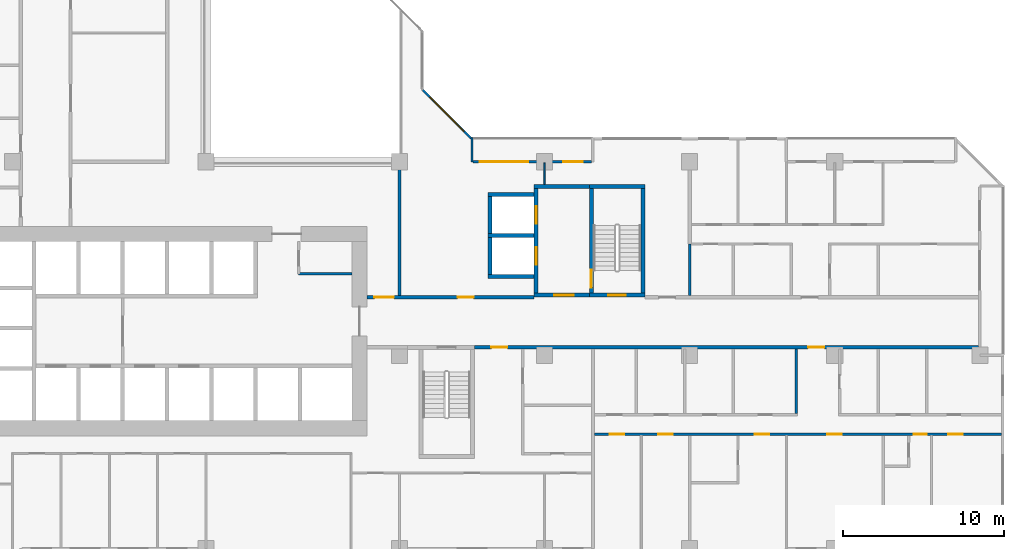
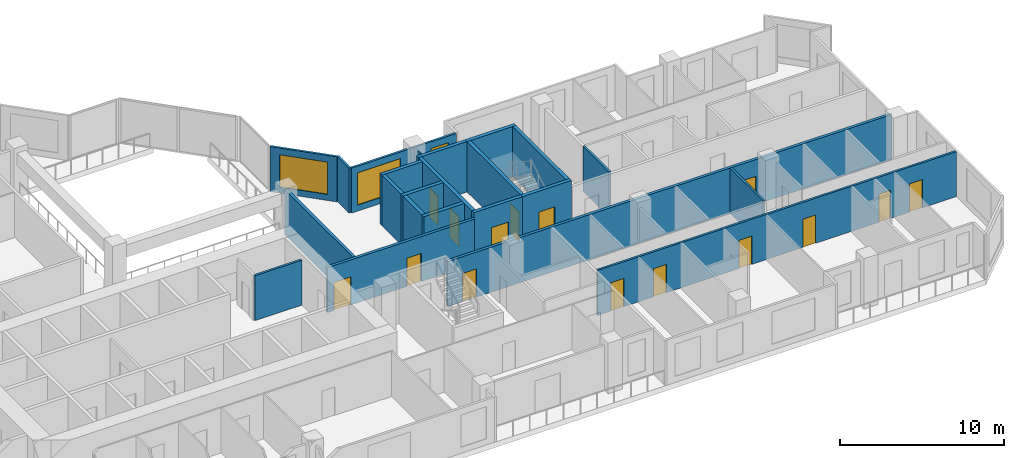
# One storey, part 7 of 15: 23 walls, 15 doors, 3 windows, 18 openings.
"""IFC4 building model written with IfcOpenShell, lengths in metres."""

import ifcopenshell
import ifcopenshell.guid

model = None  # the IFC model being written
_history = None  # IfcOwnerHistory: only IFC2X3 demands one
_inside = {}  # id of a spatial element -> (the spatial element, [elements in it])
_under = {}  # id of a project, library or spatial element -> (it, [spatial elements below it])
_declared = {}  # id of a project -> (the project, [libraries it declares])
_typed = {}  # id of a type object -> (the type object, [elements of that type])
_made_of = {}  # id of a material, layer set ... -> (it, [elements and type objects made of it])


def new_model(schema):
    """Start an empty IFC model of exactly this schema.

    Asked for "IFC4X3", IfcOpenShell would pick the latest addendum, in which some entities
    have other attributes; the version numbers below select the first issue.
    IFC2X3 requires an IfcOwnerHistory on every rooted entity: one is made here for all.
    """
    global model, _history
    if schema == "IFC4X3":
        model = ifcopenshell.file(schema_version=(4, 3, 0, 0))
    else:
        model = ifcopenshell.file(schema=schema)
    _inside.clear()
    _under.clear()
    _declared.clear()
    _typed.clear()
    _made_of.clear()
    _history = None
    if model.schema == "IFC2X3":
        org = make("IfcOrganization", Name="unknown")
        user = make(
            "IfcPersonAndOrganization",
            ThePerson=make("IfcPerson", FamilyName="unknown"),
            TheOrganization=org,
        )
        app = make(
            "IfcApplication",
            ApplicationDeveloper=org,
            Version="unknown",
            ApplicationFullName="unknown",
            ApplicationIdentifier="unknown",
        )
        _history = make(
            "IfcOwnerHistory",
            OwningUser=user,
            OwningApplication=app,
            ChangeAction="ADDED",
            CreationDate=0,
        )
    return model


def make(cls, **values):
    """One entity of the class cls with the attributes given. An attribute that is None is left unset."""
    return model.create_entity(
        cls, **{name: value for name, value in values.items() if value is not None}
    )


def rooted(cls, **values):
    """An entity with a GlobalId (a new one), such as an element, a storey or a relation."""
    return make(cls, GlobalId=ifcopenshell.guid.new(), OwnerHistory=_history, **values)


def si_unit(unit_type, name, prefix=None):
    """IfcSIUnit, for example si_unit("LENGTHUNIT", "METRE", prefix="MILLI")."""
    return make("IfcSIUnit", UnitType=unit_type, Prefix=prefix, Name=name)


def assignment(units):
    """IfcUnitAssignment: the units of a project."""
    return None if units is None else make("IfcUnitAssignment", Units=units)


def point(xyz):
    """IfcCartesianPoint."""
    return None if xyz is None else make("IfcCartesianPoint", Coordinates=xyz)


def direction(xyz):
    """IfcDirection."""
    return None if xyz is None else make("IfcDirection", DirectionRatios=xyz)


def frame(location, z_axis=None, x_axis=None):
    """IfcAxis2Placement3D, a coordinate frame: its origin and axes. An axis left out is left unset."""
    return make(
        "IfcAxis2Placement3D",
        Location=point(location),
        Axis=direction(z_axis),
        RefDirection=direction(x_axis),
    )


def frame_2d(location, x_axis=None):
    """IfcAxis2Placement2D, a coordinate frame in the plane: its origin and x axis."""
    return make(
        "IfcAxis2Placement2D", Location=point(location), RefDirection=direction(x_axis)
    )


def origin():
    """The frame at (0, 0, 0) with its axes left unset."""
    return frame((0.0, 0.0, 0.0))


def place(relative_to, where):
    """IfcLocalPlacement: puts the frame where relative to a parent placement (None: the world)."""
    return make(
        "IfcLocalPlacement", PlacementRelTo=relative_to, RelativePlacement=where
    )


def context(
    kind, dimensions, precision=None, world=None, true_north=None, identifier=None
):
    """IfcGeometricRepresentationContext, for example the 3D "Model" context."""
    return make(
        "IfcGeometricRepresentationContext",
        ContextIdentifier=identifier,
        ContextType=kind,
        CoordinateSpaceDimension=dimensions,
        Precision=precision,
        WorldCoordinateSystem=world,
        TrueNorth=true_north,
    )


def subcontext(parent, identifier, kind, view, scale=None):
    """IfcGeometricRepresentationSubContext, for example "Body" below "Model"."""
    return make(
        "IfcGeometricRepresentationSubContext",
        ContextIdentifier=identifier,
        ContextType=kind,
        ParentContext=parent,
        TargetScale=scale,
        TargetView=view,
    )


def project(units=None, contexts=None):
    """IfcProject with its units and contexts."""
    return rooted(
        "IfcProject",
        Name="project",
        RepresentationContexts=contexts,
        UnitsInContext=assignment(units),
    )


def spatial(cls, under=None, at=None, **own):
    """A site, building, storey or space (cls), placed at a placement, below another one or the project."""
    s = rooted(cls, ObjectPlacement=at, **own)
    if under is not None:
        _under.setdefault(under.id(), (under, []))[1].append(s)
    return s


def profile(cls, at=None, kind="AREA", **sizes):
    """A parametric profile (cls). Its sizes go by their IFC names, for example OverallWidth=200.0."""
    return make(cls, ProfileType=kind, Position=at, **sizes)


def rectangle(**sizes):
    """IfcRectangleProfileDef."""
    return profile("IfcRectangleProfileDef", **sizes)


def extrude(swept, where, along, depth):
    """IfcExtrudedAreaSolid: the profile swept, set in the frame where, extruded along a direction by depth."""
    return make(
        "IfcExtrudedAreaSolid",
        SweptArea=swept,
        Position=where,
        ExtrudedDirection=direction(along),
        Depth=depth,
    )


def shape(context_of_items, identifier, shape_type, items):
    """IfcShapeRepresentation: the items that make up one representation, for example the "Body"."""
    return make(
        "IfcShapeRepresentation",
        ContextOfItems=context_of_items,
        RepresentationIdentifier=identifier,
        RepresentationType=shape_type,
        Items=items,
    )


def material(Name=None, Category=None):
    """IfcMaterial."""
    return make("IfcMaterial", Name=Name, Category=Category)


def layer(
    of_material, thickness, ventilated=None, Name=None, Category=None, Priority=None
):
    """IfcMaterialLayer: one layer of a wall or slab, of a material (None: an air gap)."""
    return make(
        "IfcMaterialLayer",
        Material=of_material,
        LayerThickness=thickness,
        IsVentilated=ventilated,
        Name=Name,
        Category=Category,
        Priority=Priority,
    )


def layer_set(layers, Name=None):
    """IfcMaterialLayerSet."""
    return make("IfcMaterialLayerSet", MaterialLayers=layers, LayerSetName=Name)


def made_of(thing, what):
    """Note that an element or type object is made of a material, layer set ...; save() writes the relation."""
    if what is not None:
        _made_of.setdefault(what.id(), (what, []))[1].append(thing)
    return thing


def type_object(cls, material=None, **own):
    """A type object (cls), such as IfcWallType, which elements share."""
    return made_of(rooted(cls, **own), material)


def element(
    cls,
    number,
    at=None,
    inside=None,
    cuts=None,
    type_object=None,
    material=None,
    context=None,
    identifier="Body",
    shape_type=None,
    held_by="IfcProductDefinitionShape",
    body=None,
    shapes=None,
    **own,
):
    """One element of the class cls, such as IfcWall. Its Tag is "e" and its number.

    at: its placement. inside: the storey or other place that contains it. cuts: it is an
    opening in that element (IfcRelVoidsElement). A single representation is given by context,
    identifier, shape_type and body (its items); several are given by shapes. held_by: the class
    of the entity that holds the representations. save() writes the other relations.
    """
    e = rooted(cls, Tag="e%d" % number, ObjectPlacement=at, **own)
    if body is not None:
        shapes = [shape(context, identifier, shape_type, body)]
    if shapes is not None:
        e.Representation = make(held_by, Representations=shapes)
    if inside is not None:
        _inside.setdefault(inside.id(), (inside, []))[1].append(e)
    if cuts is not None:
        rooted(
            "IfcRelVoidsElement", RelatingBuildingElement=cuts, RelatedOpeningElement=e
        )
    if type_object is not None:
        _typed.setdefault(type_object.id(), (type_object, []))[1].append(e)
    return made_of(e, material)


def fill(opening, filler):
    """IfcRelFillsElement: the door or window that sits in an opening."""
    return rooted(
        "IfcRelFillsElement",
        RelatingOpeningElement=opening,
        RelatedBuildingElement=filler,
    )


def aggregate(whole, parts):
    """IfcRelAggregates: a whole, such as a stair, and the parts it consists of."""
    return rooted("IfcRelAggregates", RelatingObject=whole, RelatedObjects=parts)


def save(model, path):
    """Write the relations noted so far, then the file.

    IfcRelAggregates (storeys below a building ...), IfcRelContainedInSpatialStructure (elements
    in a storey), IfcRelDefinesByType, IfcRelAssociatesMaterial and IfcRelDeclares: one each for
    every whole, place, type object, material and project.
    """
    for whole, parts in _under.values():
        aggregate(whole, parts)
    for where, things in _inside.values():
        rooted(
            "IfcRelContainedInSpatialStructure",
            RelatedElements=things,
            RelatingStructure=where,
        )
    for kind, things in _typed.values():
        rooted("IfcRelDefinesByType", RelatedObjects=things, RelatingType=kind)
    for what, things in _made_of.values():
        rooted("IfcRelAssociatesMaterial", RelatedObjects=things, RelatingMaterial=what)
    for by, libraries in _declared.values():
        rooted("IfcRelDeclares", RelatingContext=by, RelatedDefinitions=libraries)
    model.write(path)


model = new_model("IFC4")

# Units and contexts
model_context = context("Model", 3, precision=1e-05, world=origin(), true_north=direction((0.0, 1.0)))
body_context = subcontext(model_context, "Body", "Model", "MODEL_VIEW")
ifc_project = project(units=[si_unit("LENGTHUNIT", "METRE"), si_unit("AREAUNIT", "SQUARE_METRE"), si_unit("VOLUMEUNIT", "CUBIC_METRE"), si_unit("PLANEANGLEUNIT", "RADIAN"), si_unit("MASSUNIT", "GRAM", prefix="KILO")], contexts=[model_context])

# Site, building, storey
site_placement = place(None, origin())
site = spatial("IfcSite", under=ifc_project, at=site_placement, CompositionType="ELEMENT")
building_placement = place(site_placement, origin())
building = spatial("IfcBuilding", under=site, at=building_placement, Name="Chenar Terraces", CompositionType="ELEMENT")
storey_placement = place(building_placement, frame((0.0, 0.0, 118.14990234375)))
storey = spatial("IfcBuildingStorey", under=building, at=storey_placement, Name="L27", CompositionType="ELEMENT", Elevation=118.14990234375)

# Wall
ifc_material_1 = material(Name="Gypsum board on steel studs", Category="steel")
ifc_layer_1 = layer(ifc_material_1, 0.14990234375)
ifc_layer_set_1 = layer_set([ifc_layer_1], Name="Gypsum board on steel studs")
wall_type_1 = type_object("IfcWallType", Name="Core partition 150 gypsum board", PredefinedType="PARTITIONING", material=ifc_layer_set_1)
wall_1_placement = place(storey_placement, frame((29.75, 17.050048828125, 0.0), z_axis=(0.0, 0.0, 1.0), x_axis=(1.0, 0.0, 0.0)))
element("IfcWall", 1, at=wall_1_placement, inside=storey, type_object=wall_type_1, Name="Core partition CP1 vestibule room south wall", PredefinedType="PARTITIONING", context=body_context, shape_type="SweptSolid", body=[
    extrude(rectangle(XDim=3.300048828125, YDim=0.14990234375, at=frame_2d((1.64990234375, 0.0))), origin(), (0.0, 0.0, 1.0), 3.35009765625),
])

# Wall, opening, door
ifc_material_2 = material(Name="Concrete C70/85", Category="concrete")
ifc_layer_2 = layer(ifc_material_2, 0.25)
ifc_layer_set_2 = layer_set([ifc_layer_2], Name="Concrete C70/85")
wall_type_2 = type_object("IfcWallType", Name="Core wall 250 Concrete C70/85", PredefinedType="SHEAR", material=ifc_layer_set_2)
wall_2_placement = place(storey_placement, frame((47.77490234375, 15.72509765625, 0.0), z_axis=(0.0, 0.0, 1.0), x_axis=(1.0, 0.0, 0.0)))
wall_2 = element("IfcWall", 2, at=wall_2_placement, inside=storey, type_object=wall_type_2, Name="Core wall ST3_S L27", PredefinedType="SHEAR", context=body_context, shape_type="SweptSolid", body=[
    extrude(rectangle(XDim=3.4501953125, YDim=0.25, at=frame_2d((1.72509765625, 0.0))), origin(), (0.0, 0.0, 1.0), 3.75),
])
opening_1_placement = place(wall_2_placement, frame((1.175048828125, 0.0, 0.0)))
opening_1 = element("IfcOpeningElement", 3, at=opening_1_placement, cuts=wall_2, Name="Opening DL27-C8", PredefinedType="OPENING", context=body_context, shape_type="SweptSolid", body=[
    extrude(rectangle(XDim=1.10009765625, YDim=2.199951171875, at=frame_2d((0.550048828125, 1.10009765625))), frame((0.0, 0.135009765625, 0.0), z_axis=(0.0, -1.0, 0.0), x_axis=(1.0, 0.0, 0.0)), (0.0, 0.0, 1.0), 0.27001953125),
])
ifc_material_3 = material(Name="Steel-framed fire-resisting door leaf", Category="steel")
door_type_1 = type_object("IfcDoorType", Name="Stair fire door FD60 1100 x 2200", OperationType="SINGLE_SWING_LEFT", PredefinedType="DOOR", material=ifc_material_3)
door_1_placement = place(opening_1_placement, frame((1.10009765625, 0.0, 0.0), z_axis=(0.0, 0.0, 1.0), x_axis=(-1.0, 0.0, 0.0)))
door_1 = element("IfcDoor", 4, at=door_1_placement, inside=storey, type_object=door_type_1, Name="Stair door DL27-C8", OperationType="SINGLE_SWING_LEFT", OverallHeight=2.199951171875, OverallWidth=1.10009765625, PredefinedType="DOOR", context=body_context, shape_type="SweptSolid", body=[
    extrude(rectangle(XDim=1.10009765625, YDim=2.199951171875, at=frame_2d((0.550048828125, 1.10009765625))), frame((0.0, 0.02490234375, 0.0), z_axis=(0.0, -1.0, 0.0), x_axis=(1.0, 0.0, 0.0)), (0.0, 0.0, 1.0), 0.050048828125),
])
fill(opening_1, door_1)

# Wall
wall_3_placement = place(storey_placement, frame((47.77490234375, 22.47509765625, 0.0), z_axis=(0.0, 0.0, 1.0), x_axis=(1.0, 0.0, 0.0)))
element("IfcWall", 5, at=wall_3_placement, inside=storey, type_object=wall_type_2, Name="Core wall ST3_N L27", PredefinedType="SHEAR", context=body_context, shape_type="SweptSolid", body=[
    extrude(rectangle(XDim=3.4501953125, YDim=0.25, at=frame_2d((1.72509765625, 0.0))), origin(), (0.0, 0.0, 1.0), 3.75),
])

# Wall, opening, door
wall_4_placement = place(storey_placement, frame((47.89990234375, 15.85009765625, 0.0), z_axis=(0.0, 0.0, 1.0), x_axis=(0.0, 1.0, 0.0)))
wall_4 = element("IfcWall", 6, at=wall_4_placement, inside=storey, type_object=wall_type_2, Name="Core wall ST3_W L27", PredefinedType="SHEAR", context=body_context, shape_type="SweptSolid", body=[
    extrude(rectangle(XDim=6.5, YDim=0.25, at=frame_2d((3.25, 0.0))), origin(), (0.0, 0.0, 1.0), 3.75),
])
opening_2_placement = place(wall_4_placement, frame((0.35009765625, 0.0, 0.0)))
opening_2 = element("IfcOpeningElement", 7, at=opening_2_placement, cuts=wall_4, Name="Opening DL27-C11", PredefinedType="OPENING", context=body_context, shape_type="SweptSolid", body=[
    extrude(rectangle(XDim=1.10009765625, YDim=2.199951171875, at=frame_2d((0.550048828125, 1.10009765625))), frame((0.0, 0.135009765625, 0.0), z_axis=(0.0, -1.0, 0.0), x_axis=(1.0, 0.0, 0.0)), (0.0, 0.0, 1.0), 0.27001953125),
])
door_2_placement = place(opening_2_placement, frame((1.10009765625, 0.0, 0.0), z_axis=(0.0, 0.0, 1.0), x_axis=(-1.0, 0.0, 0.0)))
door_2 = element("IfcDoor", 8, at=door_2_placement, inside=storey, type_object=door_type_1, Name="Stair door DL27-C11", OperationType="SINGLE_SWING_RIGHT", OverallHeight=2.199951171875, OverallWidth=1.10009765625, PredefinedType="DOOR", context=body_context, shape_type="SweptSolid", body=[
    extrude(rectangle(XDim=1.10009765625, YDim=2.199951171875, at=frame_2d((0.550048828125, 1.10009765625))), frame((0.0, 0.02490234375, 0.0), z_axis=(0.0, -1.0, 0.0), x_axis=(1.0, 0.0, 0.0)), (0.0, 0.0, 1.0), 0.050048828125),
])
fill(opening_2, door_2)

# Wall
wall_5_placement = place(storey_placement, frame((51.10009765625, 15.85009765625, 0.0), z_axis=(0.0, 0.0, 1.0), x_axis=(0.0, 1.0, 0.0)))
element("IfcWall", 9, at=wall_5_placement, inside=storey, type_object=wall_type_2, Name="Core wall ST3_E L27", PredefinedType="SHEAR", context=body_context, shape_type="SweptSolid", body=[
    extrude(rectangle(XDim=6.5, YDim=0.25, at=frame_2d((3.25, 0.0))), origin(), (0.0, 0.0, 1.0), 3.75),
])

# Wall, opening, door
wall_6_placement = place(storey_placement, frame((44.35009765625, 15.72509765625, 0.0), z_axis=(0.0, 0.0, 1.0), x_axis=(1.0, 0.0, 0.0)))
wall_6 = element("IfcWall", 10, at=wall_6_placement, inside=storey, type_object=wall_type_2, Name="Core wall F3_LS L27", PredefinedType="SHEAR", context=body_context, shape_type="SweptSolid", body=[
    extrude(rectangle(XDim=3.4248046875, YDim=0.25, at=frame_2d((1.71240234375, 0.0))), origin(), (0.0, 0.0, 1.0), 3.75),
])
opening_3_placement = place(wall_6_placement, frame((1.25, 0.0, 0.0)))
opening_3 = element("IfcOpeningElement", 11, at=opening_3_placement, cuts=wall_6, Name="Opening DL27-C10", PredefinedType="OPENING", context=body_context, shape_type="SweptSolid", body=[
    extrude(rectangle(XDim=1.199951171875, YDim=2.199951171875, at=frame_2d((0.60009765625, 1.10009765625))), frame((0.0, 0.135009765625, 0.0), z_axis=(0.0, -1.0, 0.0), x_axis=(1.0, 0.0, 0.0)), (0.0, 0.0, 1.0), 0.27001953125),
])
ifc_material_4 = material(Name="Steel-framed fire-resisting door leaf", Category="steel")
door_type_2 = type_object("IfcDoorType", Name="Lobby fire door FD60 1200 x 2200", OperationType="SINGLE_SWING_LEFT", PredefinedType="DOOR", material=ifc_material_4)
door_3_placement = place(opening_3_placement, origin())
door_3 = element("IfcDoor", 12, at=door_3_placement, inside=storey, type_object=door_type_2, Name="Core door DL27-C10", OperationType="SINGLE_SWING_RIGHT", OverallHeight=2.199951171875, OverallWidth=1.199951171875, PredefinedType="DOOR", context=body_context, shape_type="SweptSolid", body=[
    extrude(rectangle(XDim=1.199951171875, YDim=2.199951171875, at=frame_2d((0.60009765625, 1.10009765625))), frame((0.0, 0.02490234375, 0.0), z_axis=(0.0, -1.0, 0.0), x_axis=(1.0, 0.0, 0.0)), (0.0, 0.0, 1.0), 0.050048828125),
])
fill(opening_3, door_3)

# Wall
wall_7_placement = place(storey_placement, frame((44.35009765625, 22.47509765625, 0.0), z_axis=(0.0, 0.0, 1.0), x_axis=(1.0, 0.0, 0.0)))
element("IfcWall", 13, at=wall_7_placement, inside=storey, type_object=wall_type_2, Name="Core wall F3_LN L27", PredefinedType="SHEAR", context=body_context, shape_type="SweptSolid", body=[
    extrude(rectangle(XDim=3.4248046875, YDim=0.25, at=frame_2d((1.71240234375, 0.0))), origin(), (0.0, 0.0, 1.0), 3.75),
])

# Wall, openings, doors
wall_8_placement = place(storey_placement, frame((44.47509765625, 15.85009765625, 0.0), z_axis=(0.0, 0.0, 1.0), x_axis=(0.0, 1.0, 0.0)))
wall_8 = element("IfcWall", 14, at=wall_8_placement, inside=storey, type_object=wall_type_2, Name="Core wall F3_LW L27", PredefinedType="SHEAR", context=body_context, shape_type="SweptSolid", body=[
    extrude(rectangle(XDim=6.5, YDim=0.25, at=frame_2d((3.25, 0.0))), origin(), (0.0, 0.0, 1.0), 3.75),
])
opening_4_placement = place(wall_8_placement, frame((1.75, 0.0, 0.0)))
opening_4 = element("IfcOpeningElement", 15, at=opening_4_placement, cuts=wall_8, Name="Opening DL27-LD8", PredefinedType="OPENING", context=body_context, shape_type="SweptSolid", body=[
    extrude(rectangle(XDim=1.10009765625, YDim=2.199951171875, at=frame_2d((0.550048828125, 1.10009765625))), frame((0.0, 0.135009765625, 0.0), z_axis=(0.0, -1.0, 0.0), x_axis=(1.0, 0.0, 0.0)), (0.0, 0.0, 1.0), 0.27001953125),
])
opening_5_placement = place(wall_8_placement, frame((4.300048828125, 0.0, 0.0)))
opening_5 = element("IfcOpeningElement", 16, at=opening_5_placement, cuts=wall_8, Name="Opening DL27-LD9", PredefinedType="OPENING", context=body_context, shape_type="SweptSolid", body=[
    extrude(rectangle(XDim=1.10009765625, YDim=2.199951171875, at=frame_2d((0.550048828125, 1.10009765625))), frame((0.0, 0.135009765625, 0.0), z_axis=(0.0, -1.0, 0.0), x_axis=(1.0, 0.0, 0.0)), (0.0, 0.0, 1.0), 0.27001953125),
])
ifc_material_5 = material(Name="Stainless steel", Category="steel")
door_type_3 = type_object("IfcDoorType", Name="Lift landing door 1100 x 2200 sliding", OperationType="DOUBLE_DOOR_SLIDING", PredefinedType="DOOR", material=ifc_material_5)
door_4_placement = place(opening_4_placement, origin())
door_4 = element("IfcDoor", 17, at=door_4_placement, inside=storey, type_object=door_type_3, Name="Landing door F3", OperationType="DOUBLE_DOOR_SLIDING", OverallHeight=2.199951171875, OverallWidth=1.10009765625, PredefinedType="DOOR", context=body_context, shape_type="SweptSolid", body=[
    extrude(rectangle(XDim=1.10009765625, YDim=2.199951171875, at=frame_2d((0.550048828125, 1.10009765625))), frame((0.0, 0.02490234375, 0.0), z_axis=(0.0, -1.0, 0.0), x_axis=(1.0, 0.0, 0.0)), (0.0, 0.0, 1.0), 0.050048828125),
])
fill(opening_4, door_4)
door_5_placement = place(opening_5_placement, origin())
door_5 = element("IfcDoor", 18, at=door_5_placement, inside=storey, type_object=door_type_3, Name="Landing door F4", OperationType="DOUBLE_DOOR_SLIDING", OverallHeight=2.199951171875, OverallWidth=1.10009765625, PredefinedType="DOOR", context=body_context, shape_type="SweptSolid", body=[
    extrude(rectangle(XDim=1.10009765625, YDim=2.199951171875, at=frame_2d((0.550048828125, 1.10009765625))), frame((0.0, 0.02490234375, 0.0), z_axis=(0.0, -1.0, 0.0), x_axis=(1.0, 0.0, 0.0)), (0.0, 0.0, 1.0), 0.050048828125),
])
fill(opening_5, door_5)

# Walls
for number, where, z_axis, x_axis, name in (
    (19, (41.5, 16.875, 0.0), (0.0, 0.0, 1.0), (1.0, 0.0, 0.0), "Core wall F3_SS L27"),
    (20, (41.5, 19.425048828125, 0.0), (0.0, 0.0, 1.0), (1.0, 0.0, 0.0), "Core wall F3_SM L27"),
    (21, (41.5, 21.97509765625, 0.0), (0.0, 0.0, 1.0), (1.0, 0.0, 0.0), "Core wall F4_SN L27"),
):
    element("IfcWall", number, at=place(storey_placement, frame(where, z_axis=z_axis, x_axis=x_axis)), inside=storey, type_object=wall_type_2, Name=name, PredefinedType="SHEAR", context=body_context, shape_type="SweptSolid", body=[
        extrude(rectangle(XDim=2.85009765625, YDim=0.25, at=frame_2d((1.425048828125, 0.0))), origin(), (0.0, 0.0, 1.0), 3.75),
    ])
for number, where, z_axis, x_axis, name in (
    (22, (41.625, 17.0, 0.0), (0.0, 0.0, 1.0), (0.0, 1.0, 0.0), "Core wall F3_SW L27"),
    (23, (41.625, 19.550048828125, 0.0), (0.0, 0.0, 1.0), (0.0, 1.0, 0.0), "Core wall F4_SW L27"),
):
    element("IfcWall", number, at=place(storey_placement, frame(where, z_axis=z_axis, x_axis=x_axis)), inside=storey, type_object=wall_type_2, Name=name, PredefinedType="SHEAR", context=body_context, shape_type="SweptSolid", body=[
        extrude(rectangle(XDim=2.300048828125, YDim=0.25, at=frame_2d((1.14990234375, 0.0))), origin(), (0.0, 0.0, 1.0), 3.75),
    ])

# Wall, openings, doors
ifc_material_6 = material(Name="Gypsum board on steel studs with fire boards", Category="steel")
ifc_layer_3 = layer(ifc_material_6, 0.199951171875)
ifc_layer_set_3 = layer_set([ifc_layer_3], Name="Gypsum board on steel studs with fire boards")
wall_type_3 = type_object("IfcWallType", Name="Corridor wall 200", PredefinedType="PARTITIONING", material=ifc_layer_set_3)
wall_9_placement = place(storey_placement, frame((34.0, 15.60009765625, 0.0), z_axis=(0.0, 0.0, 1.0), x_axis=(1.0, 0.0, 0.0)))
wall_9 = element("IfcWall", 24, at=wall_9_placement, inside=storey, type_object=wall_type_3, Name="Partition L27-061", PredefinedType="PARTITIONING", context=body_context, shape_type="SweptSolid", body=[
    extrude(rectangle(XDim=10.35009765625, YDim=0.199951171875, at=frame_2d((5.175048828125, 0.0))), origin(), (0.0, 0.0, 1.0), 3.35009765625),
])
opening_6_placement = place(wall_9_placement, frame((5.60009765625, 0.0, 0.0)))
opening_6 = element("IfcOpeningElement", 25, at=opening_6_placement, cuts=wall_9, Name="Opening DL27-3", PredefinedType="OPENING", context=body_context, shape_type="SweptSolid", body=[
    extrude(rectangle(XDim=1.0, YDim=2.10009765625, at=frame_2d((0.5, 1.050048828125))), frame((0.0, 0.10986328125, 0.0), z_axis=(0.0, -1.0, 0.0), x_axis=(1.0, 0.0, 0.0)), (0.0, 0.0, 1.0), 0.219970703125),
])
opening_7_placement = place(wall_9_placement, frame((0.449951171875, 0.0, 0.0)))
opening_7 = element("IfcOpeningElement", 26, at=opening_7_placement, cuts=wall_9, Name="Opening DL27-52", PredefinedType="OPENING", context=body_context, shape_type="SweptSolid", body=[
    extrude(rectangle(XDim=1.199951171875, YDim=2.10009765625, at=frame_2d((0.60009765625, 1.050048828125))), frame((0.0, 0.10986328125, 0.0), z_axis=(0.0, -1.0, 0.0), x_axis=(1.0, 0.0, 0.0)), (0.0, 0.0, 1.0), 0.219970703125),
])
ifc_material_7 = material(Name="Steel-framed fire-resisting door leaf", Category="steel")
door_type_4 = type_object("IfcDoorType", Name="Fire door FD60 1000 x 2100", OperationType="SINGLE_SWING_LEFT", PredefinedType="DOOR", material=ifc_material_7)
door_6_placement = place(opening_6_placement, origin())
door_6 = element("IfcDoor", 27, at=door_6_placement, inside=storey, type_object=door_type_4, Name="Door DL27-3", OperationType="SINGLE_SWING_RIGHT", OverallHeight=2.10009765625, OverallWidth=1.0, PredefinedType="DOOR", context=body_context, shape_type="SweptSolid", body=[
    extrude(rectangle(XDim=1.0, YDim=2.10009765625, at=frame_2d((0.5, 1.050048828125))), frame((0.0, 0.02490234375, 0.0), z_axis=(0.0, -1.0, 0.0), x_axis=(1.0, 0.0, 0.0)), (0.0, 0.0, 1.0), 0.050048828125),
])
fill(opening_6, door_6)
ifc_material_8 = material(Name="Steel-framed fire-resisting door leaf", Category="steel")
door_type_5 = type_object("IfcDoorType", Name="Fire door FD60 1200 x 2100", OperationType="SINGLE_SWING_LEFT", PredefinedType="DOOR", material=ifc_material_8)
door_7_placement = place(opening_7_placement, origin())
door_7 = element("IfcDoor", 28, at=door_7_placement, inside=storey, type_object=door_type_5, Name="Door DL27-52", OperationType="SINGLE_SWING_RIGHT", OverallHeight=2.10009765625, OverallWidth=1.199951171875, PredefinedType="DOOR", context=body_context, shape_type="SweptSolid", body=[
    extrude(rectangle(XDim=1.199951171875, YDim=2.10009765625, at=frame_2d((0.60009765625, 1.050048828125))), frame((0.0, 0.02490234375, 0.0), z_axis=(0.0, -1.0, 0.0), x_axis=(1.0, 0.0, 0.0)), (0.0, 0.0, 1.0), 0.050048828125),
])
fill(opening_7, door_7)

# Wall
wall_10_placement = place(storey_placement, frame((36.0, 15.699951171875, 0.0), z_axis=(0.0, 0.0, 1.0), x_axis=(0.0, 1.0, 0.0)))
element("IfcWall", 29, at=wall_10_placement, inside=storey, type_object=wall_type_3, Name="Partition L27-063", PredefinedType="PARTITIONING", context=body_context, shape_type="SweptSolid", body=[
    extrude(rectangle(XDim=8.300048828125, YDim=0.199951171875, at=frame_2d((4.14990234375, 0.0))), origin(), (0.0, 0.0, 1.0), 3.35009765625),
])

# Wall, openings, doors
wall_11_placement = place(storey_placement, frame((40.64990234375, 12.5, 0.0), z_axis=(0.0, 0.0, 1.0), x_axis=(1.0, 0.0, 0.0)))
wall_11 = element("IfcWall", 30, at=wall_11_placement, inside=storey, type_object=wall_type_3, Name="Partition L27-064", PredefinedType="PARTITIONING", context=body_context, shape_type="SweptSolid", body=[
    extrude(rectangle(XDim=31.276123046875, YDim=0.199951171875, at=frame_2d((15.63818359375, 0.0))), origin(), (0.0, 0.0, 1.0), 3.35009765625),
])
opening_8_placement = place(wall_11_placement, frame((20.699951171875, 0.0, 0.0)))
opening_8 = element("IfcOpeningElement", 31, at=opening_8_placement, cuts=wall_11, Name="Opening DL27-18", PredefinedType="OPENING", context=body_context, shape_type="SweptSolid", body=[
    extrude(rectangle(XDim=1.0, YDim=2.10009765625, at=frame_2d((0.5, 1.050048828125))), frame((0.0, 0.10986328125, 0.0), z_axis=(0.0, -1.0, 0.0), x_axis=(1.0, 0.0, 0.0)), (0.0, 0.0, 1.0), 0.219970703125),
])
opening_9_placement = place(wall_11_placement, frame((1.050048828125, 0.0, 0.0)))
opening_9 = element("IfcOpeningElement", 32, at=opening_9_placement, cuts=wall_11, Name="Opening DL27-66", PredefinedType="OPENING", context=body_context, shape_type="SweptSolid", body=[
    extrude(rectangle(XDim=1.0, YDim=2.10009765625, at=frame_2d((0.5, 1.050048828125))), frame((0.0, 0.10986328125, 0.0), z_axis=(0.0, -1.0, 0.0), x_axis=(1.0, 0.0, 0.0)), (0.0, 0.0, 1.0), 0.219970703125),
])
ifc_material_9 = material(Name="Steel-framed fire-resisting door leaf", Category="steel")
door_type_6 = type_object("IfcDoorType", Name="Fire door FD30S 1000 x 2100", OperationType="SINGLE_SWING_LEFT", PredefinedType="DOOR", material=ifc_material_9)
door_8_placement = place(opening_8_placement, frame((1.0, 0.0, 0.0), z_axis=(0.0, 0.0, 1.0), x_axis=(-1.0, 0.0, 0.0)))
door_8 = element("IfcDoor", 33, at=door_8_placement, inside=storey, type_object=door_type_6, Name="Door DL27-18", OperationType="SINGLE_SWING_LEFT", OverallHeight=2.10009765625, OverallWidth=1.0, PredefinedType="DOOR", context=body_context, shape_type="SweptSolid", body=[
    extrude(rectangle(XDim=1.0, YDim=2.10009765625, at=frame_2d((0.5, 1.050048828125))), frame((0.0, 0.02490234375, 0.0), z_axis=(0.0, -1.0, 0.0), x_axis=(1.0, 0.0, 0.0)), (0.0, 0.0, 1.0), 0.050048828125),
])
fill(opening_8, door_8)
door_9_placement = place(opening_9_placement, origin())
door_9 = element("IfcDoor", 34, at=door_9_placement, inside=storey, type_object=door_type_6, Name="Door DL27-66", OperationType="SINGLE_SWING_RIGHT", OverallHeight=2.10009765625, OverallWidth=1.0, PredefinedType="DOOR", context=body_context, shape_type="SweptSolid", body=[
    extrude(rectangle(XDim=1.0, YDim=2.10009765625, at=frame_2d((0.5, 1.050048828125))), frame((0.0, 0.02490234375, 0.0), z_axis=(0.0, -1.0, 0.0), x_axis=(1.0, 0.0, 0.0)), (0.0, 0.0, 1.0), 0.050048828125),
])
fill(opening_9, door_9)

# Wall, openings, windows
ifc_material_10 = material(Name="Aluminium framed glazing", Category="aluminium")
ifc_layer_4 = layer(ifc_material_10, 0.14990234375)
ifc_layer_set_4 = layer_set([ifc_layer_4], Name="Aluminium framed glazing")
wall_type_4 = type_object("IfcWallType", Name="Glazed loggia back wall 150", PredefinedType="SOLIDWALL", material=ifc_layer_set_4)
wall_12_placement = place(storey_placement, frame((47.925048828125, 24.0, 0.0), z_axis=(0.0, 0.0, 1.0), x_axis=(-1.0, 0.0, 0.0)))
wall_12 = element("IfcWall", 35, at=wall_12_placement, inside=storey, type_object=wall_type_4, Name="Glazed loggia back wall", PredefinedType="SOLIDWALL", context=body_context, shape_type="SweptSolid", body=[
    extrude(rectangle(XDim=7.35009765625, YDim=0.14990234375, at=frame_2d((3.675048828125, 0.0))), origin(), (0.0, 0.0, 1.0), 3.35009765625),
])
opening_10_placement = place(wall_12_placement, frame((0.5625, 0.0, 0.449951171875)))
opening_10 = element("IfcOpeningElement", 36, at=opening_10_placement, cuts=wall_12, Name="Opening W120x240", PredefinedType="OPENING", context=body_context, shape_type="SweptSolid", body=[
    extrude(rectangle(XDim=1.199951171875, YDim=2.39990234375, at=frame_2d((0.60009765625, 1.199951171875))), frame((0.0, 0.0849609375, 0.0), z_axis=(0.0, -1.0, 0.0), x_axis=(1.0, 0.0, 0.0)), (0.0, 0.0, 1.0), 0.169921875),
])
opening_11_placement = place(wall_12_placement, frame((3.9375, 0.0, 0.449951171875)))
opening_11 = element("IfcOpeningElement", 37, at=opening_11_placement, cuts=wall_12, Name="Opening W300x240", PredefinedType="OPENING", context=body_context, shape_type="SweptSolid", body=[
    extrude(rectangle(XDim=3.0, YDim=2.39990234375, at=frame_2d((1.5, 1.199951171875))), frame((0.0, 0.0849609375, 0.0), z_axis=(0.0, -1.0, 0.0), x_axis=(1.0, 0.0, 0.0)), (0.0, 0.0, 1.0), 0.169921875),
])
ifc_material_11 = material(Name="Low emissivity double glazing, aluminium frame", Category="aluminium")
window_type_1 = type_object("IfcWindowType", Name="Fixed light 1200 x 2400", PartitioningType="SINGLE_PANEL", PredefinedType="WINDOW", material=ifc_material_11)
window_1_placement = place(opening_10_placement, origin())
window_1 = element("IfcWindow", 38, at=window_1_placement, inside=storey, type_object=window_type_1, Name="Window", OverallHeight=2.39990234375, OverallWidth=1.199951171875, PartitioningType="SINGLE_PANEL", PredefinedType="WINDOW", context=body_context, shape_type="SweptSolid", body=[
    extrude(rectangle(XDim=1.199951171875, YDim=2.39990234375, at=frame_2d((0.60009765625, 1.199951171875))), frame((0.0, 0.030029296875, 0.0), z_axis=(0.0, -1.0, 0.0), x_axis=(1.0, 0.0, 0.0)), (0.0, 0.0, 1.0), 0.06005859375),
])
fill(opening_10, window_1)
ifc_material_12 = material(Name="Low emissivity double glazing, aluminium frame", Category="aluminium")
window_type_2 = type_object("IfcWindowType", Name="Fixed light 3000 x 2400", PartitioningType="SINGLE_PANEL", PredefinedType="WINDOW", material=ifc_material_12)
window_2_placement = place(opening_11_placement, origin())
window_2 = element("IfcWindow", 39, at=window_2_placement, inside=storey, type_object=window_type_2, Name="Window", OverallHeight=2.39990234375, OverallWidth=3.0, PartitioningType="SINGLE_PANEL", PredefinedType="WINDOW", context=body_context, shape_type="SweptSolid", body=[
    extrude(rectangle(XDim=3.0, YDim=2.39990234375, at=frame_2d((1.5, 1.199951171875))), frame((0.0, 0.030029296875, 0.0), z_axis=(0.0, -1.0, 0.0), x_axis=(1.0, 0.0, 0.0)), (0.0, 0.0, 1.0), 0.06005859375),
])
fill(opening_11, window_2)

# Walls
ifc_material_13 = material(Name="Gypsum board on steel studs", Category="steel")
ifc_layer_5 = layer(ifc_material_13, 0.10009765625)
ifc_layer_set_5 = layer_set([ifc_layer_5], Name="Gypsum board on steel studs")
wall_type_5 = type_object("IfcWallType", Name="Gypsum partition 100", PredefinedType="PARTITIONING", material=ifc_layer_set_5)
wall_13_placement = place(storey_placement, frame((45.0, 22.60009765625, 0.0), z_axis=(0.0, 0.0, 1.0), x_axis=(0.0, 1.0, 0.0)))
element("IfcWall", 40, at=wall_13_placement, inside=storey, type_object=wall_type_5, Name="Partition L27-069", PredefinedType="PARTITIONING", context=body_context, shape_type="SweptSolid", body=[
    extrude(rectangle(XDim=1.325927734375, YDim=0.10009765625, at=frame_2d((0.6630859375, 0.0))), origin(), (0.0, 0.0, 1.0), 3.35009765625),
])
ifc_material_14 = material(Name="Terracotta cladding on insulated backing", Category="masonry")
ifc_layer_6 = layer(ifc_material_14, 0.14990234375)
ifc_layer_set_6 = layer_set([ifc_layer_6], Name="Terracotta cladding on insulated backing")
wall_type_6 = type_object("IfcWallType", Name="Loggia return wall 150", PredefinedType="SOLIDWALL", material=ifc_layer_set_6)
wall_14_placement = place(storey_placement, frame((40.5, 25.5, 0.0), z_axis=(0.0, 0.0, 1.0), x_axis=(0.0, -1.0, 0.0)))
element("IfcWall", 41, at=wall_14_placement, inside=storey, type_object=wall_type_6, Name="Loggia return wall", PredefinedType="SOLIDWALL", context=body_context, shape_type="SweptSolid", body=[
    extrude(rectangle(XDim=1.5, YDim=0.14990234375, at=frame_2d((0.75, 0.0))), origin(), (0.0, 0.0, 1.0), 3.35009765625),
])

# Wall, opening, window
ifc_material_15 = material(Name="Terracotta cladding on insulated backing", Category="masonry")
ifc_layer_7 = layer(ifc_material_15, 0.14990234375)
ifc_layer_set_7 = layer_set([ifc_layer_7], Name="Terracotta cladding on insulated backing")
wall_type_7 = type_object("IfcWallType", Name="Terracotta rainscreen wall 150", PredefinedType="SOLIDWALL", material=ifc_layer_set_7)
wall_15_placement = place(storey_placement, frame((40.447021484375, 25.447021484375, 0.0), z_axis=(0.0, 0.0, 1.0), x_axis=(-0.707106781187, 0.707106781187, 0.0)))
wall_15 = element("IfcWall", 42, at=wall_15_placement, inside=storey, type_object=wall_type_7, Name="Terracotta rainscreen wall", PredefinedType="SOLIDWALL", context=body_context, shape_type="SweptSolid", body=[
    extrude(rectangle(XDim=4.24267578125, YDim=0.14990234375, at=frame_2d((2.121337890625, 0.0))), origin(), (0.0, 0.0, 1.0), 3.35009765625),
])
opening_12_placement = place(wall_15_placement, frame((0.621337890625, 0.0, 0.449951171875)))
opening_12 = element("IfcOpeningElement", 43, at=opening_12_placement, cuts=wall_15, Name="Opening W300x240", PredefinedType="OPENING", context=body_context, shape_type="SweptSolid", body=[
    extrude(rectangle(XDim=3.0, YDim=2.39990234375, at=frame_2d((1.5, 1.199951171875))), frame((0.0, 0.0849609375, 0.0), z_axis=(0.0, -1.0, 0.0), x_axis=(1.0, 0.0, 0.0)), (0.0, 0.0, 1.0), 0.169921875),
])
window_3_placement = place(opening_12_placement, origin())
window_3 = element("IfcWindow", 44, at=window_3_placement, inside=storey, type_object=window_type_2, Name="Window", OverallHeight=2.39990234375, OverallWidth=3.0, PartitioningType="SINGLE_PANEL", PredefinedType="WINDOW", context=body_context, shape_type="SweptSolid", body=[
    extrude(rectangle(XDim=3.0, YDim=2.39990234375, at=frame_2d((1.5, 1.199951171875))), frame((0.0, 0.030029296875, 0.0), z_axis=(0.0, -1.0, 0.0), x_axis=(1.0, 0.0, 0.0)), (0.0, 0.0, 1.0), 0.06005859375),
])
fill(opening_12, window_3)

# Wall, openings, doors
ifc_material_16 = material(Name="Moisture-resistant gypsum board on steel studs", Category="steel")
ifc_layer_8 = layer(ifc_material_16, 0.14990234375)
ifc_layer_set_8 = layer_set([ifc_layer_8], Name="Moisture-resistant gypsum board on steel studs")
wall_type_8 = type_object("IfcWallType", Name="Wet-room partition 150", PredefinedType="PARTITIONING", material=ifc_layer_set_8)
wall_16_placement = place(storey_placement, frame((48.10009765625, 7.10009765625, 0.0), z_axis=(0.0, 0.0, 1.0), x_axis=(1.0, 0.0, 0.0)))
wall_16 = element("IfcWall", 45, at=wall_16_placement, inside=storey, type_object=wall_type_8, Name="Partition L27-071", PredefinedType="PARTITIONING", context=body_context, shape_type="SweptSolid", body=[
    extrude(rectangle(XDim=25.25, YDim=0.14990234375, at=frame_2d((12.625, 0.0))), origin(), (0.0, 0.0, 1.0), 3.35009765625),
])
opening_13_placement = place(wall_16_placement, frame((0.949951171875, 0.0, 0.0)))
opening_13 = element("IfcOpeningElement", 46, at=opening_13_placement, cuts=wall_16, Name="Opening DL27-14", PredefinedType="OPENING", context=body_context, shape_type="SweptSolid", body=[
    extrude(rectangle(XDim=0.89990234375, YDim=2.10009765625, at=frame_2d((0.449951171875, 1.050048828125))), frame((0.0, 0.0849609375, 0.0), z_axis=(0.0, -1.0, 0.0), x_axis=(1.0, 0.0, 0.0)), (0.0, 0.0, 1.0), 0.169921875),
])
opening_14_placement = place(wall_16_placement, frame((21.949951171875, 0.0, 0.0)))
opening_14 = element("IfcOpeningElement", 47, at=opening_14_placement, cuts=wall_16, Name="Opening DL27-15", PredefinedType="OPENING", context=body_context, shape_type="SweptSolid", body=[
    extrude(rectangle(XDim=0.89990234375, YDim=2.10009765625, at=frame_2d((0.449951171875, 1.050048828125))), frame((0.0, 0.0849609375, 0.0), z_axis=(0.0, -1.0, 0.0), x_axis=(1.0, 0.0, 0.0)), (0.0, 0.0, 1.0), 0.169921875),
])
opening_15_placement = place(wall_16_placement, frame((9.949951171875, 0.0, 0.0)))
opening_15 = element("IfcOpeningElement", 48, at=opening_15_placement, cuts=wall_16, Name="Opening DL27-16", PredefinedType="OPENING", context=body_context, shape_type="SweptSolid", body=[
    extrude(rectangle(XDim=0.89990234375, YDim=2.10009765625, at=frame_2d((0.449951171875, 1.050048828125))), frame((0.0, 0.0849609375, 0.0), z_axis=(0.0, -1.0, 0.0), x_axis=(1.0, 0.0, 0.0)), (0.0, 0.0, 1.0), 0.169921875),
])
opening_16_placement = place(wall_16_placement, frame((14.449951171875, 0.0, 0.0)))
opening_16 = element("IfcOpeningElement", 49, at=opening_16_placement, cuts=wall_16, Name="Opening DL27-24", PredefinedType="OPENING", context=body_context, shape_type="SweptSolid", body=[
    extrude(rectangle(XDim=0.89990234375, YDim=2.10009765625, at=frame_2d((0.449951171875, 1.050048828125))), frame((0.0, 0.0849609375, 0.0), z_axis=(0.0, -1.0, 0.0), x_axis=(1.0, 0.0, 0.0)), (0.0, 0.0, 1.0), 0.169921875),
])
opening_17_placement = place(wall_16_placement, frame((19.800048828125, 0.0, 0.0)))
opening_17 = element("IfcOpeningElement", 50, at=opening_17_placement, cuts=wall_16, Name="Opening DL27-25", PredefinedType="OPENING", context=body_context, shape_type="SweptSolid", body=[
    extrude(rectangle(XDim=0.800048828125, YDim=2.10009765625, at=frame_2d((0.39990234375, 1.050048828125))), frame((0.0, 0.0849609375, 0.0), z_axis=(0.0, -1.0, 0.0), x_axis=(1.0, 0.0, 0.0)), (0.0, 0.0, 1.0), 0.169921875),
])
opening_18_placement = place(wall_16_placement, frame((3.949951171875, 0.0, 0.0)))
opening_18 = element("IfcOpeningElement", 51, at=opening_18_placement, cuts=wall_16, Name="Opening DL27-27", PredefinedType="OPENING", context=body_context, shape_type="SweptSolid", body=[
    extrude(rectangle(XDim=0.89990234375, YDim=2.10009765625, at=frame_2d((0.449951171875, 1.050048828125))), frame((0.0, 0.0849609375, 0.0), z_axis=(0.0, -1.0, 0.0), x_axis=(1.0, 0.0, 0.0)), (0.0, 0.0, 1.0), 0.169921875),
])
ifc_material_17 = material(Name="Veneered timber door leaf", Category="wood")
door_type_7 = type_object("IfcDoorType", Name="Door 800 x 2100", OperationType="SINGLE_SWING_LEFT", PredefinedType="DOOR", material=ifc_material_17)
door_10_placement = place(opening_17_placement, frame((0.800048828125, 0.0, 0.0), z_axis=(0.0, 0.0, 1.0), x_axis=(-1.0, 0.0, 0.0)))
door_10 = element("IfcDoor", 52, at=door_10_placement, inside=storey, type_object=door_type_7, Name="Door DL27-25", OperationType="SINGLE_SWING_LEFT", OverallHeight=2.10009765625, OverallWidth=0.800048828125, PredefinedType="DOOR", context=body_context, shape_type="SweptSolid", body=[
    extrude(rectangle(XDim=0.800048828125, YDim=2.10009765625, at=frame_2d((0.39990234375, 1.050048828125))), frame((0.0, 0.02490234375, 0.0), z_axis=(0.0, -1.0, 0.0), x_axis=(1.0, 0.0, 0.0)), (0.0, 0.0, 1.0), 0.050048828125),
])
fill(opening_17, door_10)
ifc_material_18 = material(Name="Veneered timber door leaf", Category="wood")
door_type_8 = type_object("IfcDoorType", Name="Door 900 x 2100", OperationType="SINGLE_SWING_LEFT", PredefinedType="DOOR", material=ifc_material_18)
door_11_placement = place(opening_13_placement, frame((0.89990234375, 0.0, 0.0), z_axis=(0.0, 0.0, 1.0), x_axis=(-1.0, 0.0, 0.0)))
door_11 = element("IfcDoor", 53, at=door_11_placement, inside=storey, type_object=door_type_8, Name="Door DL27-14", OperationType="SINGLE_SWING_LEFT", OverallHeight=2.10009765625, OverallWidth=0.89990234375, PredefinedType="DOOR", context=body_context, shape_type="SweptSolid", body=[
    extrude(rectangle(XDim=0.89990234375, YDim=2.10009765625, at=frame_2d((0.449951171875, 1.050048828125))), frame((0.0, 0.02490234375, 0.0), z_axis=(0.0, -1.0, 0.0), x_axis=(1.0, 0.0, 0.0)), (0.0, 0.0, 1.0), 0.050048828125),
])
fill(opening_13, door_11)
door_12_placement = place(opening_14_placement, frame((0.89990234375, 0.0, 0.0), z_axis=(0.0, 0.0, 1.0), x_axis=(-1.0, 0.0, 0.0)))
door_12 = element("IfcDoor", 54, at=door_12_placement, inside=storey, type_object=door_type_8, Name="Door DL27-15", OperationType="SINGLE_SWING_RIGHT", OverallHeight=2.10009765625, OverallWidth=0.89990234375, PredefinedType="DOOR", context=body_context, shape_type="SweptSolid", body=[
    extrude(rectangle(XDim=0.89990234375, YDim=2.10009765625, at=frame_2d((0.449951171875, 1.050048828125))), frame((0.0, 0.02490234375, 0.0), z_axis=(0.0, -1.0, 0.0), x_axis=(1.0, 0.0, 0.0)), (0.0, 0.0, 1.0), 0.050048828125),
])
fill(opening_14, door_12)
door_13_placement = place(opening_15_placement, origin())
door_13 = element("IfcDoor", 55, at=door_13_placement, inside=storey, type_object=door_type_8, Name="Door DL27-16", OperationType="SINGLE_SWING_RIGHT", OverallHeight=2.10009765625, OverallWidth=0.89990234375, PredefinedType="DOOR", context=body_context, shape_type="SweptSolid", body=[
    extrude(rectangle(XDim=0.89990234375, YDim=2.10009765625, at=frame_2d((0.449951171875, 1.050048828125))), frame((0.0, 0.02490234375, 0.0), z_axis=(0.0, -1.0, 0.0), x_axis=(1.0, 0.0, 0.0)), (0.0, 0.0, 1.0), 0.050048828125),
])
fill(opening_15, door_13)
door_14_placement = place(opening_16_placement, origin())
door_14 = element("IfcDoor", 56, at=door_14_placement, inside=storey, type_object=door_type_8, Name="Door DL27-24", OperationType="SINGLE_SWING_RIGHT", OverallHeight=2.10009765625, OverallWidth=0.89990234375, PredefinedType="DOOR", context=body_context, shape_type="SweptSolid", body=[
    extrude(rectangle(XDim=0.89990234375, YDim=2.10009765625, at=frame_2d((0.449951171875, 1.050048828125))), frame((0.0, 0.02490234375, 0.0), z_axis=(0.0, -1.0, 0.0), x_axis=(1.0, 0.0, 0.0)), (0.0, 0.0, 1.0), 0.050048828125),
])
fill(opening_16, door_14)
door_15_placement = place(opening_18_placement, frame((0.89990234375, 0.0, 0.0), z_axis=(0.0, 0.0, 1.0), x_axis=(-1.0, 0.0, 0.0)))
door_15 = element("IfcDoor", 57, at=door_15_placement, inside=storey, type_object=door_type_8, Name="Door DL27-27", OperationType="SINGLE_SWING_LEFT", OverallHeight=2.10009765625, OverallWidth=0.89990234375, PredefinedType="DOOR", context=body_context, shape_type="SweptSolid", body=[
    extrude(rectangle(XDim=0.89990234375, YDim=2.10009765625, at=frame_2d((0.449951171875, 1.050048828125))), frame((0.0, 0.02490234375, 0.0), z_axis=(0.0, -1.0, 0.0), x_axis=(1.0, 0.0, 0.0)), (0.0, 0.0, 1.0), 0.050048828125),
])
fill(opening_18, door_15)

# Walls
wall_17_placement = place(storey_placement, frame((54.0, 15.699951171875, 0.0), z_axis=(0.0, 0.0, 1.0), x_axis=(0.0, 1.0, 0.0)))
element("IfcWall", 58, at=wall_17_placement, inside=storey, type_object=wall_type_8, Name="Partition L27-078", PredefinedType="PARTITIONING", context=body_context, shape_type="SweptSolid", body=[
    extrude(rectangle(XDim=3.199951171875, YDim=0.14990234375, at=frame_2d((1.60009765625, 0.0))), origin(), (0.0, 0.0, 1.0), 3.35009765625),
])
wall_18_placement = place(storey_placement, frame((60.60009765625, 8.375, 0.0), z_axis=(0.0, 0.0, 1.0), x_axis=(0.0, 1.0, 0.0)))
element("IfcWall", 59, at=wall_18_placement, inside=storey, type_object=wall_type_8, Name="Partition L27-090", PredefinedType="PARTITIONING", context=body_context, shape_type="SweptSolid", body=[
    extrude(rectangle(XDim=4.02490234375, YDim=0.14990234375, at=frame_2d((2.012451171875, 0.0))), origin(), (0.0, 0.0, 1.0), 3.35009765625),
])

save(model, "model.ifc")
